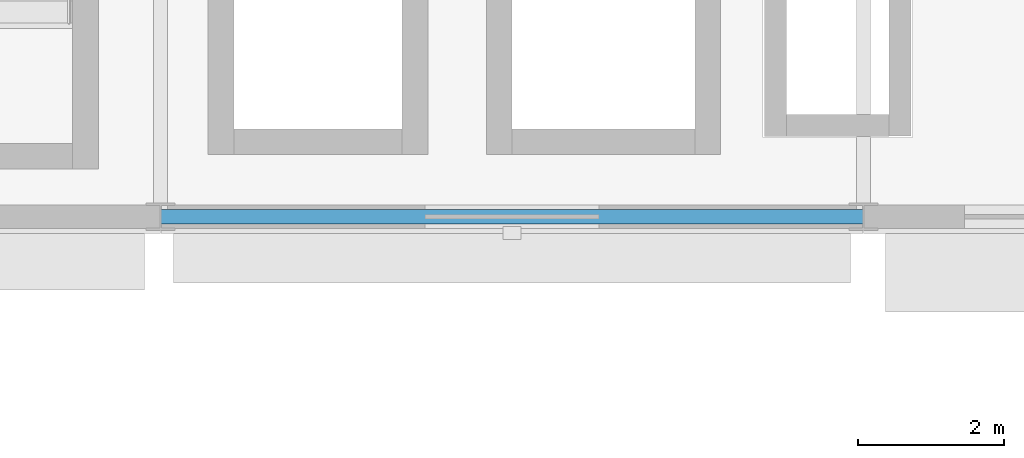
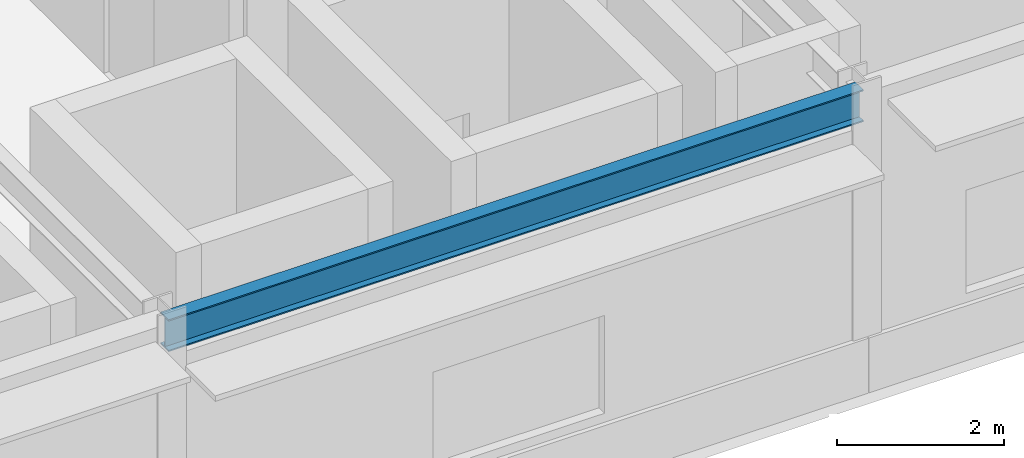
# One storey, part 52 of 157: 1 beam.
"""IFC4 building model written with IfcOpenShell, lengths in metres."""

from ifc_helpers import new_model, si_unit, direction, frame, origin, origin_2d, place, context, subcontext, project, spatial, i_section, extrude, material, material_profile, profile_set, type_object, element, save


model = new_model("IFC4")

# Units and contexts
model_context = context("Model", 3, precision=1e-05, world=origin(), true_north=direction((0.0, 1.0)))
body_context = subcontext(model_context, "Body", "Model", "MODEL_VIEW")
ifc_project = project(units=[si_unit("LENGTHUNIT", "METRE"), si_unit("AREAUNIT", "SQUARE_METRE"), si_unit("VOLUMEUNIT", "CUBIC_METRE"), si_unit("PLANEANGLEUNIT", "RADIAN"), si_unit("MASSUNIT", "GRAM", prefix="KILO")], contexts=[model_context])

# Site, building, storey
site_placement = place(None, origin())
site = spatial("IfcSite", under=ifc_project, at=site_placement, CompositionType="ELEMENT")
building_placement = place(site_placement, origin())
building = spatial("IfcBuilding", under=site, at=building_placement, Name="Almandine Court Research Institute", CompositionType="ELEMENT")
storey_placement = place(building_placement, frame((0.0, 0.0, 5.25)))
storey = spatial("IfcBuildingStorey", under=building, at=storey_placement, Name="L01", CompositionType="ELEMENT", Elevation=5.25)

# Beam
ifc_material = material(Name="Steel ASTM A992 Grade 50", Category="steel")
ifc_material_profile = material_profile(ifc_material, i_section(OverallWidth=0.193115234375, OverallDepth=0.466064453125, WebThickness=0.010986328125, FlangeThickness=0.01904296875, at=origin_2d()), Name="W460x97")
ifc_profile_set = profile_set([ifc_material_profile], Name="Steel ASTM A992 Grade 50")
beam_type = type_object("IfcBeamType", Name="Beam-G-06-E", PredefinedType="SPANDREL", material=ifc_profile_set)
beam_placement = place(storey_placement, frame((15.60009765625, 84.0, 4.136962890625), z_axis=(1.0, 0.0, 0.0), x_axis=(0.0, 1.0, 0.0)))
element("IfcBeam", 1, at=beam_placement, inside=storey, type_object=beam_type, Name="L01 V3 Primary X Girder", PredefinedType="SPANDREL", context=body_context, shape_type="SweptSolid", body=[
    extrude(i_section(OverallWidth=0.193115234375, OverallDepth=0.466064453125, WebThickness=0.010986328125, FlangeThickness=0.01904296875, at=origin_2d()), origin(), (0.0, 0.0, 1.0), 9.599853515625),
])

save(model, "model.ifc")
